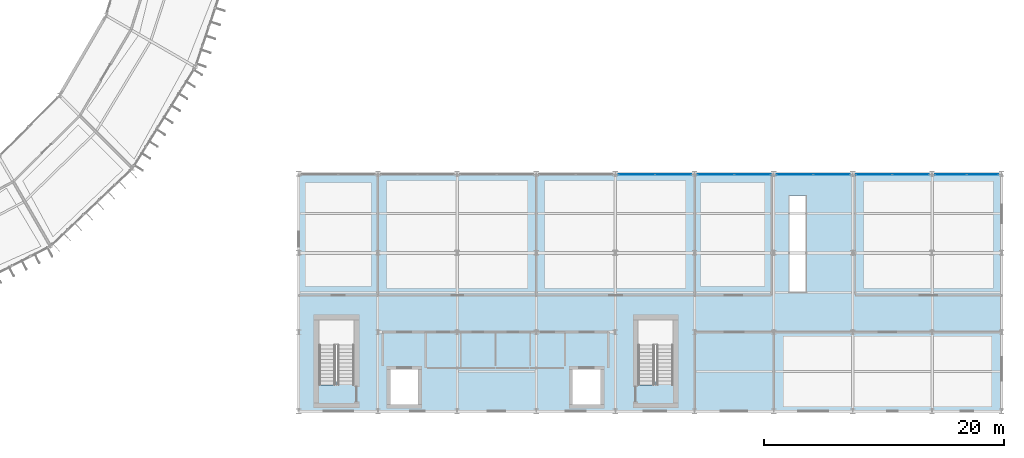
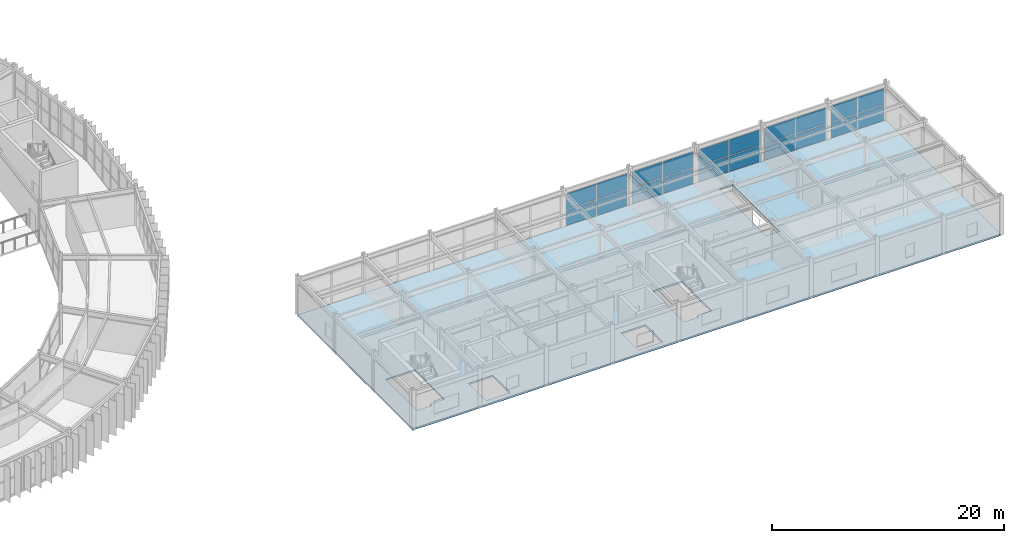
# One storey, part 106 of 147: 20 plates, 1 slab, 5 elements without a shape of their own.
"""IFC4 building model written with IfcOpenShell, lengths in metres."""

from ifc_helpers import new_model, si_unit, direction, frame, origin, origin_2d, place, context, subcontext, project, spatial, polyline, rectangle, outline, extrude, material, layer, layer_set, type_object, element, aggregate, save


model = new_model("IFC4")

# Units and contexts
model_context = context("Model", 3, precision=1e-05, world=origin(), true_north=direction((0.0, 1.0)))
body_context = subcontext(model_context, "Body", "Model", "MODEL_VIEW")
ifc_project = project(units=[si_unit("LENGTHUNIT", "METRE"), si_unit("AREAUNIT", "SQUARE_METRE"), si_unit("VOLUMEUNIT", "CUBIC_METRE"), si_unit("PLANEANGLEUNIT", "RADIAN"), si_unit("MASSUNIT", "GRAM", prefix="KILO")], contexts=[model_context])

# Site, building, storey
site_placement = place(None, origin())
site = spatial("IfcSite", under=ifc_project, at=site_placement, CompositionType="ELEMENT")
building_placement = place(site_placement, origin())
building = spatial("IfcBuilding", under=site, at=building_placement, Name="Karori Crest Natural Sciences Institute", CompositionType="ELEMENT")
storey_placement = place(building_placement, frame((0.0, 0.0, 9.10009765625)))
storey = spatial("IfcBuildingStorey", under=building, at=storey_placement, Name="L02", CompositionType="ELEMENT", Elevation=9.10009765625)

# Curtain wall, plates
ifc_material_1 = material(Name="Anodised architectural aluminium 6063-T6", Category="aluminium")
curtain_wall_type = type_object("IfcCurtainWallType", Name="CWT-20", PredefinedType="NOTDEFINED", material=ifc_material_1)
curtain_wall_1_placement = place(storey_placement, origin())
curtain_wall_1 = element("IfcCurtainWall", 1, at=curtain_wall_1_placement, inside=storey, type_object=curtain_wall_type, Name="Curtain wall CW-0317", PredefinedType="NOTDEFINED")
ifc_material_2 = material(Name="Double low-E laminated glass", Category="glass")
ifc_layer_1 = layer(ifc_material_2, 0.02392578125, Name="Double low-E laminated glass")
ifc_layer_set_1 = layer_set([ifc_layer_1], Name="Double low-E laminated glass")
plate_type = type_object("IfcPlateType", Name="CWP-01", PredefinedType="CURTAIN_PANEL", material=ifc_layer_set_1)
plate_1_placement = place(storey_placement, frame((131.76513671875, 20.5400390625, 0.059814453125), z_axis=(0.0, 0.0, 1.0), x_axis=(1.0, 0.0, 0.0)))
plate_1 = element("IfcPlate", 2, at=plate_1_placement, type_object=plate_type, Name="CW-0317 panel 1.1", PredefinedType="CURTAIN_PANEL", context=body_context, shape_type="SweptSolid", body=[
    extrude(rectangle(XDim=3.00439453125, YDim=0.02392578125, at=origin_2d()), origin(), (0.0, 0.0, 1.0), 1.66259765625),
])
plate_2_placement = place(storey_placement, frame((131.76513671875, 20.5400390625, 1.782470703125), z_axis=(0.0, 0.0, 1.0), x_axis=(1.0, 0.0, 0.0)))
plate_2 = element("IfcPlate", 3, at=plate_2_placement, type_object=plate_type, Name="CW-0317 panel 1.2", PredefinedType="CURTAIN_PANEL", context=body_context, shape_type="SweptSolid", body=[
    extrude(rectangle(XDim=3.00439453125, YDim=0.02392578125, at=origin_2d()), origin(), (0.0, 0.0, 1.0), 1.66259765625),
])
plate_3_placement = place(storey_placement, frame((134.834716796875, 20.5400390625, 0.059814453125), z_axis=(0.0, 0.0, 1.0), x_axis=(1.0, 0.0, 0.0)))
plate_3 = element("IfcPlate", 4, at=plate_3_placement, type_object=plate_type, Name="CW-0317 panel 2.1", PredefinedType="CURTAIN_PANEL", context=body_context, shape_type="SweptSolid", body=[
    extrude(rectangle(XDim=3.00439453125, YDim=0.02392578125, at=origin_2d()), origin(), (0.0, 0.0, 1.0), 1.66259765625),
])
plate_4_placement = place(storey_placement, frame((134.834716796875, 20.5400390625, 1.782470703125), z_axis=(0.0, 0.0, 1.0), x_axis=(1.0, 0.0, 0.0)))
plate_4 = element("IfcPlate", 5, at=plate_4_placement, type_object=plate_type, Name="CW-0317 panel 2.2", PredefinedType="CURTAIN_PANEL", context=body_context, shape_type="SweptSolid", body=[
    extrude(rectangle(XDim=3.00439453125, YDim=0.02392578125, at=origin_2d()), origin(), (0.0, 0.0, 1.0), 1.66259765625),
])
aggregate(curtain_wall_1, [plate_1, plate_2, plate_3, plate_4])

curtain_wall_2_placement = place(storey_placement, origin())
curtain_wall_2 = element("IfcCurtainWall", 6, at=curtain_wall_2_placement, inside=storey, type_object=curtain_wall_type, Name="Curtain wall CW-0318", PredefinedType="NOTDEFINED")
plate_5_placement = place(storey_placement, frame((138.365234375, 20.5400390625, 0.059814453125), z_axis=(0.0, 0.0, 1.0), x_axis=(1.0, 0.0, 0.0)))
plate_5 = element("IfcPlate", 7, at=plate_5_placement, type_object=plate_type, Name="CW-0318 panel 1.1", PredefinedType="CURTAIN_PANEL", context=body_context, shape_type="SweptSolid", body=[
    extrude(rectangle(XDim=3.00439453125, YDim=0.02392578125, at=origin_2d()), origin(), (0.0, 0.0, 1.0), 1.66259765625),
])
plate_6_placement = place(storey_placement, frame((138.365234375, 20.5400390625, 1.782470703125), z_axis=(0.0, 0.0, 1.0), x_axis=(1.0, 0.0, 0.0)))
plate_6 = element("IfcPlate", 8, at=plate_6_placement, type_object=plate_type, Name="CW-0318 panel 1.2", PredefinedType="CURTAIN_PANEL", context=body_context, shape_type="SweptSolid", body=[
    extrude(rectangle(XDim=3.00439453125, YDim=0.02392578125, at=origin_2d()), origin(), (0.0, 0.0, 1.0), 1.66259765625),
])
plate_7_placement = place(storey_placement, frame((141.434814453125, 20.5400390625, 0.059814453125), z_axis=(0.0, 0.0, 1.0), x_axis=(1.0, 0.0, 0.0)))
plate_7 = element("IfcPlate", 9, at=plate_7_placement, type_object=plate_type, Name="CW-0318 panel 2.1", PredefinedType="CURTAIN_PANEL", context=body_context, shape_type="SweptSolid", body=[
    extrude(rectangle(XDim=3.00439453125, YDim=0.02392578125, at=origin_2d()), origin(), (0.0, 0.0, 1.0), 1.66259765625),
])
plate_8_placement = place(storey_placement, frame((141.434814453125, 20.5400390625, 1.782470703125), z_axis=(0.0, 0.0, 1.0), x_axis=(1.0, 0.0, 0.0)))
plate_8 = element("IfcPlate", 10, at=plate_8_placement, type_object=plate_type, Name="CW-0318 panel 2.2", PredefinedType="CURTAIN_PANEL", context=body_context, shape_type="SweptSolid", body=[
    extrude(rectangle(XDim=3.00439453125, YDim=0.02392578125, at=origin_2d()), origin(), (0.0, 0.0, 1.0), 1.66259765625),
])
aggregate(curtain_wall_2, [plate_5, plate_6, plate_7, plate_8])

curtain_wall_3_placement = place(storey_placement, origin())
curtain_wall_3 = element("IfcCurtainWall", 11, at=curtain_wall_3_placement, inside=storey, type_object=curtain_wall_type, Name="Curtain wall CW-0319", PredefinedType="NOTDEFINED")
plate_9_placement = place(storey_placement, frame((144.96533203125, 20.5400390625, 0.059814453125), z_axis=(0.0, 0.0, 1.0), x_axis=(1.0, 0.0, 0.0)))
plate_9 = element("IfcPlate", 12, at=plate_9_placement, type_object=plate_type, Name="CW-0319 panel 1.1", PredefinedType="CURTAIN_PANEL", context=body_context, shape_type="SweptSolid", body=[
    extrude(rectangle(XDim=3.00439453125, YDim=0.02392578125, at=origin_2d()), origin(), (0.0, 0.0, 1.0), 1.66259765625),
])
plate_10_placement = place(storey_placement, frame((144.96533203125, 20.5400390625, 1.782470703125), z_axis=(0.0, 0.0, 1.0), x_axis=(1.0, 0.0, 0.0)))
plate_10 = element("IfcPlate", 13, at=plate_10_placement, type_object=plate_type, Name="CW-0319 panel 1.2", PredefinedType="CURTAIN_PANEL", context=body_context, shape_type="SweptSolid", body=[
    extrude(rectangle(XDim=3.00439453125, YDim=0.02392578125, at=origin_2d()), origin(), (0.0, 0.0, 1.0), 1.66259765625),
])
plate_11_placement = place(storey_placement, frame((148.03466796875, 20.5400390625, 0.059814453125), z_axis=(0.0, 0.0, 1.0), x_axis=(1.0, 0.0, 0.0)))
plate_11 = element("IfcPlate", 14, at=plate_11_placement, type_object=plate_type, Name="CW-0319 panel 2.1", PredefinedType="CURTAIN_PANEL", context=body_context, shape_type="SweptSolid", body=[
    extrude(rectangle(XDim=3.00439453125, YDim=0.02392578125, at=origin_2d()), origin(), (0.0, 0.0, 1.0), 1.66259765625),
])
plate_12_placement = place(storey_placement, frame((148.03466796875, 20.5400390625, 1.782470703125), z_axis=(0.0, 0.0, 1.0), x_axis=(1.0, 0.0, 0.0)))
plate_12 = element("IfcPlate", 15, at=plate_12_placement, type_object=plate_type, Name="CW-0319 panel 2.2", PredefinedType="CURTAIN_PANEL", context=body_context, shape_type="SweptSolid", body=[
    extrude(rectangle(XDim=3.00439453125, YDim=0.02392578125, at=origin_2d()), origin(), (0.0, 0.0, 1.0), 1.66259765625),
])
aggregate(curtain_wall_3, [plate_9, plate_10, plate_11, plate_12])

curtain_wall_4_placement = place(storey_placement, origin())
curtain_wall_4 = element("IfcCurtainWall", 16, at=curtain_wall_4_placement, inside=storey, type_object=curtain_wall_type, Name="Curtain wall CW-0320", PredefinedType="NOTDEFINED")
plate_13_placement = place(storey_placement, frame((151.565185546875, 20.5400390625, 0.059814453125), z_axis=(0.0, 0.0, 1.0), x_axis=(1.0, 0.0, 0.0)))
plate_13 = element("IfcPlate", 17, at=plate_13_placement, type_object=plate_type, Name="CW-0320 panel 1.1", PredefinedType="CURTAIN_PANEL", context=body_context, shape_type="SweptSolid", body=[
    extrude(rectangle(XDim=3.00439453125, YDim=0.02392578125, at=origin_2d()), origin(), (0.0, 0.0, 1.0), 1.66259765625),
])
plate_14_placement = place(storey_placement, frame((151.565185546875, 20.5400390625, 1.782470703125), z_axis=(0.0, 0.0, 1.0), x_axis=(1.0, 0.0, 0.0)))
plate_14 = element("IfcPlate", 18, at=plate_14_placement, type_object=plate_type, Name="CW-0320 panel 1.2", PredefinedType="CURTAIN_PANEL", context=body_context, shape_type="SweptSolid", body=[
    extrude(rectangle(XDim=3.00439453125, YDim=0.02392578125, at=origin_2d()), origin(), (0.0, 0.0, 1.0), 1.66259765625),
])
plate_15_placement = place(storey_placement, frame((154.634765625, 20.5400390625, 0.059814453125), z_axis=(0.0, 0.0, 1.0), x_axis=(1.0, 0.0, 0.0)))
plate_15 = element("IfcPlate", 19, at=plate_15_placement, type_object=plate_type, Name="CW-0320 panel 2.1", PredefinedType="CURTAIN_PANEL", context=body_context, shape_type="SweptSolid", body=[
    extrude(rectangle(XDim=3.00439453125, YDim=0.02392578125, at=origin_2d()), origin(), (0.0, 0.0, 1.0), 1.66259765625),
])
plate_16_placement = place(storey_placement, frame((154.634765625, 20.5400390625, 1.782470703125), z_axis=(0.0, 0.0, 1.0), x_axis=(1.0, 0.0, 0.0)))
plate_16 = element("IfcPlate", 20, at=plate_16_placement, type_object=plate_type, Name="CW-0320 panel 2.2", PredefinedType="CURTAIN_PANEL", context=body_context, shape_type="SweptSolid", body=[
    extrude(rectangle(XDim=3.00439453125, YDim=0.02392578125, at=origin_2d()), origin(), (0.0, 0.0, 1.0), 1.66259765625),
])
aggregate(curtain_wall_4, [plate_13, plate_14, plate_15, plate_16])

curtain_wall_5_placement = place(storey_placement, origin())
curtain_wall_5 = element("IfcCurtainWall", 21, at=curtain_wall_5_placement, inside=storey, type_object=curtain_wall_type, Name="Curtain wall CW-0321", PredefinedType="NOTDEFINED")
plate_17_placement = place(storey_placement, frame((157.96533203125, 20.5400390625, 0.059814453125), z_axis=(0.0, 0.0, 1.0), x_axis=(1.0, 0.0, 0.0)))
plate_17 = element("IfcPlate", 22, at=plate_17_placement, type_object=plate_type, Name="CW-0321 panel 1.1", PredefinedType="CURTAIN_PANEL", context=body_context, shape_type="SweptSolid", body=[
    extrude(rectangle(XDim=2.6044921875, YDim=0.02392578125, at=origin_2d()), origin(), (0.0, 0.0, 1.0), 1.66259765625),
])
plate_18_placement = place(storey_placement, frame((157.96533203125, 20.5400390625, 1.782470703125), z_axis=(0.0, 0.0, 1.0), x_axis=(1.0, 0.0, 0.0)))
plate_18 = element("IfcPlate", 23, at=plate_18_placement, type_object=plate_type, Name="CW-0321 panel 1.2", PredefinedType="CURTAIN_PANEL", context=body_context, shape_type="SweptSolid", body=[
    extrude(rectangle(XDim=2.6044921875, YDim=0.02392578125, at=origin_2d()), origin(), (0.0, 0.0, 1.0), 1.66259765625),
])
plate_19_placement = place(storey_placement, frame((160.634765625, 20.5400390625, 0.059814453125), z_axis=(0.0, 0.0, 1.0), x_axis=(1.0, 0.0, 0.0)))
plate_19 = element("IfcPlate", 24, at=plate_19_placement, type_object=plate_type, Name="CW-0321 panel 2.1", PredefinedType="CURTAIN_PANEL", context=body_context, shape_type="SweptSolid", body=[
    extrude(rectangle(XDim=2.6044921875, YDim=0.02392578125, at=origin_2d()), origin(), (0.0, 0.0, 1.0), 1.66259765625),
])
plate_20_placement = place(storey_placement, frame((160.634765625, 20.5400390625, 1.782470703125), z_axis=(0.0, 0.0, 1.0), x_axis=(1.0, 0.0, 0.0)))
plate_20 = element("IfcPlate", 25, at=plate_20_placement, type_object=plate_type, Name="CW-0321 panel 2.2", PredefinedType="CURTAIN_PANEL", context=body_context, shape_type="SweptSolid", body=[
    extrude(rectangle(XDim=2.6044921875, YDim=0.02392578125, at=origin_2d()), origin(), (0.0, 0.0, 1.0), 1.66259765625),
])
aggregate(curtain_wall_5, [plate_17, plate_18, plate_19, plate_20])

# Slab
ifc_material_3 = material(Name="Concrete 40 MPa", Category="concrete")
ifc_layer_2 = layer(ifc_material_3, 0.179931640625, Name="Concrete 40 MPa")
ifc_layer_set_2 = layer_set([ifc_layer_2], Name="Concrete 40 MPa")
slab_type = type_object("IfcSlabType", Name="SLT-09", PredefinedType="FLOOR", material=ifc_layer_set_2)
slab_placement = place(storey_placement, frame((0.0, 0.0, -0.18017578125)))
element("IfcSlab", 26, at=slab_placement, inside=storey, type_object=slab_type, Name="V5 Slab SL-0165", PredefinedType="FLOOR", context=body_context, shape_type="SweptSolid", body=[
    extrude(outline(polyline([(103.60009765625, 0.800048828125), (162.199951171875, 0.800048828125), (162.199951171875, 20.60009765625), (103.60009765625, 20.60009765625), (103.60009765625, 0.800048828125)]), holes=[polyline([(108.199951171875, 3.280029296875), (106.75, 3.280029296875), (106.75, 3.00048828125), (105.300048828125, 3.00048828125), (105.300048828125, 8.39990234375), (108.199951171875, 8.39990234375), (108.199951171875, 3.280029296875)]), polyline([(134.800048828125, 3.280029296875), (133.35009765625, 3.280029296875), (133.35009765625, 3.00048828125), (131.89990234375, 3.00048828125), (131.89990234375, 8.39990234375), (134.800048828125, 8.39990234375), (134.800048828125, 3.280029296875)]), polyline([(144.52490234375, 18.799560546875), (145.875, 18.799560546875), (145.875, 10.699951171875), (144.52490234375, 10.699951171875), (144.52490234375, 18.799560546875)]), polyline([(111.199951171875, 4.300048828125), (113.60009765625, 4.300048828125), (113.60009765625, 1.300048828125), (111.199951171875, 1.300048828125), (111.199951171875, 4.300048828125)]), polyline([(126.39990234375, 4.300048828125), (128.800048828125, 4.300048828125), (128.800048828125, 1.300048828125), (126.39990234375, 1.300048828125), (126.39990234375, 4.300048828125)])]), origin(), (0.0, 0.0, 1.0), 0.18017578125),
])

save(model, "model.ifc")
